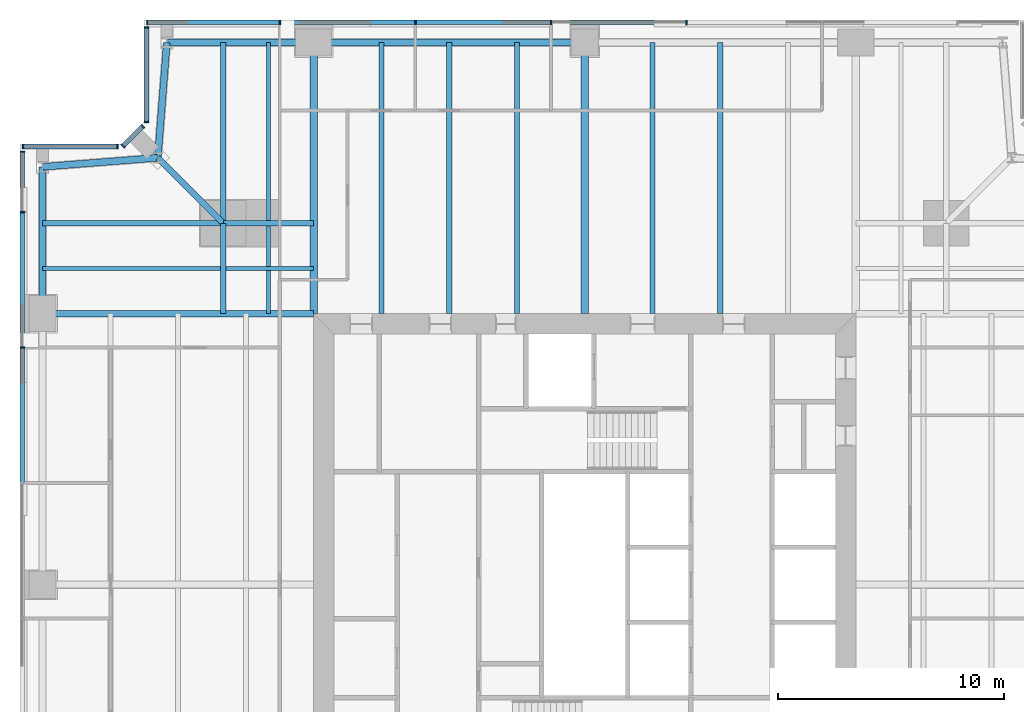
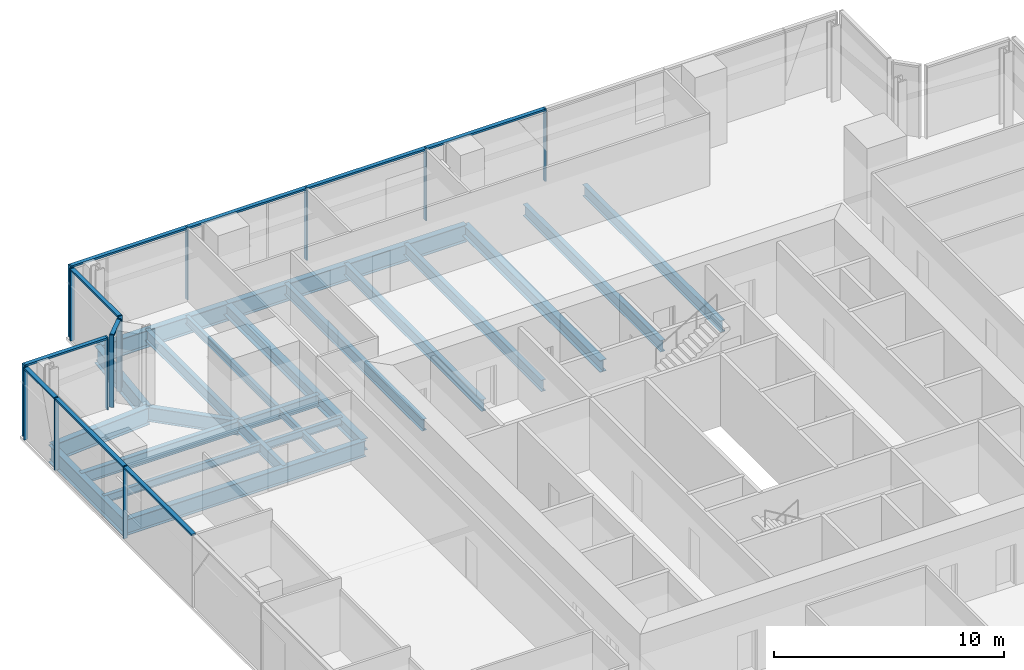
# One storey, part 6 of 14: 24 members, 23 beams, 5 elements without a shape of their own.
"""IFC4 building model written with IfcOpenShell, lengths in metres."""

from ifc_helpers import new_model, si_unit, direction, frame, origin, origin_2d, place, context, subcontext, project, spatial, rectangle, i_section, extrude, material, material_profile, profile_set, type_object, element, aggregate, save


model = new_model("IFC4")

# Units and contexts
model_context = context("Model", 3, precision=1e-05, world=origin(), true_north=direction((0.0, 1.0)))
body_context = subcontext(model_context, "Body", "Model", "MODEL_VIEW")
ifc_project = project(units=[si_unit("LENGTHUNIT", "METRE"), si_unit("AREAUNIT", "SQUARE_METRE"), si_unit("VOLUMEUNIT", "CUBIC_METRE"), si_unit("PLANEANGLEUNIT", "RADIAN"), si_unit("MASSUNIT", "GRAM", prefix="KILO")], contexts=[model_context])

# Site, building, storey
site_placement = place(None, origin())
site = spatial("IfcSite", under=ifc_project, at=site_placement, CompositionType="ELEMENT")
building_placement = place(site_placement, origin())
building = spatial("IfcBuilding", under=site, at=building_placement, Name="Fenwick Lantern Interchange", CompositionType="ELEMENT")
storey_placement = place(building_placement, frame((0.0, 0.0, 173.800048828125)))
storey = spatial("IfcBuildingStorey", under=building, at=storey_placement, Name="L40", CompositionType="ELEMENT", Elevation=173.800048828125)

# Beams
ifc_material_1 = material(Name="Steel ASTM A992 Grade 50", Category="steel")
ifc_material_profile_1 = material_profile(ifc_material_1, i_section(OverallWidth=0.3046875, OverallDepth=0.911865234375, WebThickness=0.015869140625, FlangeThickness=0.02392578125, at=origin_2d()), Name="W36X150")
ifc_profile_set_1 = profile_set([ifc_material_profile_1], Name="Steel ASTM A992 Grade 50")
beam_type_1 = type_object("IfcBeamType", Name="EDGE BEAM W36X150", PredefinedType="SPANDREL", material=ifc_profile_set_1)
beam_1_placement = place(storey_placement, frame((25.0, 49.0, -0.60595703125), z_axis=(-1.0, 0.0, 0.0), x_axis=(0.0, -1.0, 0.0)))
element("IfcBeam", 1, at=beam_1_placement, inside=storey, type_object=beam_type_1, Name="L40/FR/N/EB3", PredefinedType="SPANDREL", context=body_context, shape_type="SweptSolid", body=[
    extrude(i_section(OverallWidth=0.3046875, OverallDepth=0.911865234375, WebThickness=0.015869140625, FlangeThickness=0.02392578125, at=origin_2d()), origin(), (0.0, 0.0, 1.0), 12.0),
])
beam_2_placement = place(storey_placement, frame((13.0, 49.0, -0.60595703125), z_axis=(-1.0, 0.0, 0.0), x_axis=(0.0, -1.0, 0.0)))
element("IfcBeam", 2, at=beam_2_placement, inside=storey, type_object=beam_type_1, Name="L40/FR/N/EB4", PredefinedType="SPANDREL", context=body_context, shape_type="SweptSolid", body=[
    extrude(i_section(OverallWidth=0.3046875, OverallDepth=0.911865234375, WebThickness=0.015869140625, FlangeThickness=0.02392578125, at=origin_2d()), origin(), (0.0, 0.0, 1.0), 6.5),
])
for number, where, z_axis, x_axis, name in (
    (3, (6.5, 49.0, -0.60595703125), (-0.078170784639, -0.99693998236, 0.0), (0.99693998236, -0.078170784639, 0.0), "L40/FR/N/EBR1"),
    (4, (6.10009765625, 43.89990234375, -0.60595703125), (-0.99693998236, -0.078170784639, 0.0), (0.078170784639, -0.99693998236, 0.0), "L40/FR/N/EBR2"),
):
    element("IfcBeam", number, at=place(storey_placement, frame(where, z_axis=z_axis, x_axis=x_axis)), inside=storey, type_object=beam_type_1, Name=name, PredefinedType="SPANDREL", context=body_context, shape_type="SweptSolid", body=[
        extrude(i_section(OverallWidth=0.3046875, OverallDepth=0.911865234375, WebThickness=0.015869140625, FlangeThickness=0.02392578125, at=origin_2d()), origin(), (0.0, 0.0, 1.0), 5.11572265625),
    ])
beam_3_placement = place(storey_placement, frame((1.0, 43.5, -0.60595703125), z_axis=(0.0, -1.0, 0.0), x_axis=(1.0, 0.0, 0.0)))
element("IfcBeam", 5, at=beam_3_placement, inside=storey, type_object=beam_type_1, Name="L40/FR/W/EB1", PredefinedType="SPANDREL", context=body_context, shape_type="SweptSolid", body=[
    extrude(i_section(OverallWidth=0.3046875, OverallDepth=0.911865234375, WebThickness=0.015869140625, FlangeThickness=0.02392578125, at=origin_2d()), origin(), (0.0, 0.0, 1.0), 6.5),
])
ifc_material_profile_2 = material_profile(ifc_material_1, i_section(OverallWidth=0.22900390625, OverallDepth=0.612060546875, WebThickness=0.011962890625, FlangeThickness=0.01953125, at=origin_2d()), Name="W24X84")
ifc_profile_set_2 = profile_set([ifc_material_profile_2], Name="Steel ASTM A992 Grade 50")
beam_type_2 = type_object("IfcBeamType", Name="FLOOR BEAM W24X84", PredefinedType="BEAM", material=ifc_profile_set_2)
for number, where, z_axis, x_axis, name in (
    (6, (31.0, 49.0, -0.4560546875), (0.0, -1.0, 0.0), (1.0, 0.0, 0.0), "L40/FR/N/R03"),
    (7, (28.0, 49.0, -0.4560546875), (0.0, -1.0, 0.0), (1.0, 0.0, 0.0), "L40/FR/N/R04"),
    (8, (22.0, 49.0, -0.4560546875), (0.0, -1.0, 0.0), (1.0, 0.0, 0.0), "L40/FR/N/R06"),
    (9, (19.0, 49.0, -0.4560546875), (0.0, -1.0, 0.0), (1.0, 0.0, 0.0), "L40/FR/N/R07"),
    (10, (16.0, 49.0, -0.4560546875), (0.0, -1.0, 0.0), (1.0, 0.0, 0.0), "L40/FR/N/R08"),
):
    element("IfcBeam", number, at=place(storey_placement, frame(where, z_axis=z_axis, x_axis=x_axis)), inside=storey, type_object=beam_type_2, Name=name, PredefinedType="BEAM", context=body_context, shape_type="SweptSolid", body=[
        extrude(i_section(OverallWidth=0.22900390625, OverallDepth=0.612060546875, WebThickness=0.011962890625, FlangeThickness=0.01953125, at=origin_2d()), origin(), (0.0, 0.0, 1.0), 12.0),
    ])
ifc_material_profile_3 = material_profile(ifc_material_1, i_section(OverallWidth=0.177734375, OverallDepth=0.406494140625, WebThickness=0.0078125, FlangeThickness=0.012939453125, at=origin_2d()), Name="W16X40")
ifc_profile_set_3 = profile_set([ifc_material_profile_3], Name="Steel ASTM A992 Grade 50")
beam_type_3 = type_object("IfcBeamType", Name="INFILL BEAM W16X40", PredefinedType="JOIST", material=ifc_profile_set_3)
beam_4_placement = place(storey_placement, frame((1.0, 39.0, -0.353271484375), z_axis=(1.0, 0.0, 0.0), x_axis=(0.0, 1.0, 0.0)))
element("IfcBeam", 11, at=beam_4_placement, inside=storey, type_object=beam_type_3, Name="L40/FR/W/J1", PredefinedType="JOIST", context=body_context, shape_type="SweptSolid", body=[
    extrude(i_section(OverallWidth=0.177734375, OverallDepth=0.406494140625, WebThickness=0.0078125, FlangeThickness=0.012939453125, at=origin_2d()), origin(), (0.0, 0.0, 1.0), 7.885498046875),
])
beam_5_placement = place(storey_placement, frame((9.114501953125, 39.0, -0.353271484375), z_axis=(1.0, 0.0, 0.0), x_axis=(0.0, 1.0, 0.0)))
element("IfcBeam", 12, at=beam_5_placement, inside=storey, type_object=beam_type_3, Name="L40/FR/W/J2", PredefinedType="JOIST", context=body_context, shape_type="SweptSolid", body=[
    extrude(i_section(OverallWidth=0.177734375, OverallDepth=0.406494140625, WebThickness=0.0078125, FlangeThickness=0.012939453125, at=origin_2d()), origin(), (0.0, 0.0, 1.0), 3.885498046875),
])
beam_6_placement = place(storey_placement, frame((11.0, 49.0, -0.353271484375), z_axis=(0.0, -1.0, 0.0), x_axis=(1.0, 0.0, 0.0)))
element("IfcBeam", 13, at=beam_6_placement, inside=storey, type_object=beam_type_3, Name="L40/FR/W/J3", PredefinedType="JOIST", context=body_context, shape_type="SweptSolid", body=[
    extrude(i_section(OverallWidth=0.177734375, OverallDepth=0.406494140625, WebThickness=0.0078125, FlangeThickness=0.012939453125, at=origin_2d()), origin(), (0.0, 0.0, 1.0), 7.885498046875),
])
beam_7_placement = place(storey_placement, frame((11.0, 40.885498046875, -0.353271484375), z_axis=(0.0, -1.0, 0.0), x_axis=(1.0, 0.0, 0.0)))
element("IfcBeam", 14, at=beam_7_placement, inside=storey, type_object=beam_type_3, Name="L40/FR/W/J4", PredefinedType="JOIST", context=body_context, shape_type="SweptSolid", body=[
    extrude(i_section(OverallWidth=0.177734375, OverallDepth=0.406494140625, WebThickness=0.0078125, FlangeThickness=0.012939453125, at=origin_2d()), origin(), (0.0, 0.0, 1.0), 1.796630859375),
])
beam_8_placement = place(storey_placement, frame((11.0, 38.9111328125, -0.353271484375), z_axis=(0.0, -1.0, 0.0), x_axis=(1.0, 0.0, 0.0)))
element("IfcBeam", 15, at=beam_8_placement, inside=storey, type_object=beam_type_3, Name="L40/FR/W/J5", PredefinedType="JOIST", context=body_context, shape_type="SweptSolid", body=[
    extrude(i_section(OverallWidth=0.177734375, OverallDepth=0.406494140625, WebThickness=0.0078125, FlangeThickness=0.012939453125, at=origin_2d()), origin(), (0.0, 0.0, 1.0), 1.9111328125),
])
ifc_material_profile_4 = material_profile(ifc_material_1, i_section(OverallWidth=0.22900390625, OverallDepth=0.612060546875, WebThickness=0.011962890625, FlangeThickness=0.01953125, at=origin_2d()), Name="W24X84")
ifc_profile_set_4 = profile_set([ifc_material_profile_4], Name="Steel ASTM A992 Grade 50")
beam_type_4 = type_object("IfcBeamType", Name="MEGA COLUMN BEAM W24X84", PredefinedType="BEAM", material=ifc_profile_set_4)
for number, where, z_axis, x_axis, name in (
    (16, (9.0, 41.0, -0.4560546875), (-1.0, 0.0, 0.0), (0.0, -1.0, 0.0), "L40/FR/W/MB1"),
    (17, (9.0, 41.0, -0.4560546875), (0.0, 1.0, 0.0), (-1.0, 0.0, 0.0), "L40/FR/W/MB2"),
):
    element("IfcBeam", number, at=place(storey_placement, frame(where, z_axis=z_axis, x_axis=x_axis)), inside=storey, type_object=beam_type_4, Name=name, PredefinedType="BEAM", context=body_context, shape_type="SweptSolid", body=[
        extrude(i_section(OverallWidth=0.22900390625, OverallDepth=0.612060546875, WebThickness=0.011962890625, FlangeThickness=0.01953125, at=origin_2d()), origin(), (0.0, 0.0, 1.0), 8.0),
    ])
for number, where, z_axis, x_axis, name in (
    (18, (9.0, 41.0, -0.4560546875), (0.0, -1.0, 0.0), (1.0, 0.0, 0.0), "L40/FR/W/MB3"),
    (19, (9.0, 41.0, -0.4560546875), (1.0, 0.0, 0.0), (0.0, 1.0, 0.0), "L40/FR/W/MB4"),
):
    element("IfcBeam", number, at=place(storey_placement, frame(where, z_axis=z_axis, x_axis=x_axis)), inside=storey, type_object=beam_type_4, Name=name, PredefinedType="BEAM", context=body_context, shape_type="SweptSolid", body=[
        extrude(i_section(OverallWidth=0.22900390625, OverallDepth=0.612060546875, WebThickness=0.011962890625, FlangeThickness=0.01953125, at=origin_2d()), origin(), (0.0, 0.0, 1.0), 4.0),
    ])
ifc_material_profile_5 = material_profile(ifc_material_1, i_section(OverallWidth=0.32763671875, OverallDepth=0.622314453125, WebThickness=0.015380859375, FlangeThickness=0.0244140625, at=origin_2d()), Name="W24X131")
ifc_profile_set_5 = profile_set([ifc_material_profile_5], Name="Steel ASTM A992 Grade 50")
beam_type_5 = type_object("IfcBeamType", Name="MOMENT-CONNECTED GIRDER W24X131", PredefinedType="BEAM", material=ifc_profile_set_5)
for number, where, z_axis, x_axis, name in (
    (20, (25.0, 49.0, -0.461181640625), (0.0, -1.0, 0.0), (1.0, 0.0, 0.0), "L40/FR/N/R05"),
    (21, (13.0, 49.0, -0.461181640625), (0.0, -1.0, 0.0), (1.0, 0.0, 0.0), "L40/FR/N/R09"),
):
    element("IfcBeam", number, at=place(storey_placement, frame(where, z_axis=z_axis, x_axis=x_axis)), inside=storey, type_object=beam_type_5, Name=name, PredefinedType="BEAM", context=body_context, shape_type="SweptSolid", body=[
        extrude(i_section(OverallWidth=0.32763671875, OverallDepth=0.622314453125, WebThickness=0.015380859375, FlangeThickness=0.0244140625, at=origin_2d()), origin(), (0.0, 0.0, 1.0), 12.0),
    ])
ifc_material_profile_6 = material_profile(ifc_material_1, i_section(OverallWidth=0.2919921875, OverallDepth=0.845703125, WebThickness=0.015380859375, FlangeThickness=0.0244140625, at=origin_2d()), Name="W33X141")
ifc_profile_set_6 = profile_set([ifc_material_profile_6], Name="Steel ASTM A992 Grade 50")
beam_type_6 = type_object("IfcBeamType", Name="MOMENT-CONNECTED GIRDER W33X141", PredefinedType="BEAM", material=ifc_profile_set_6)
beam_9_placement = place(storey_placement, frame((1.0, 37.0, -0.572998046875), z_axis=(1.0, 0.0, 0.0), x_axis=(0.0, 1.0, 0.0)))
element("IfcBeam", 22, at=beam_9_placement, inside=storey, type_object=beam_type_6, Name="L40/FR/W/R01", PredefinedType="BEAM", context=body_context, shape_type="SweptSolid", body=[
    extrude(i_section(OverallWidth=0.2919921875, OverallDepth=0.845703125, WebThickness=0.015380859375, FlangeThickness=0.0244140625, at=origin_2d()), origin(), (0.0, 0.0, 1.0), 12.0),
])
ifc_material_profile_7 = material_profile(ifc_material_1, i_section(OverallWidth=0.2666015625, OverallDepth=0.7568359375, WebThickness=0.013916015625, FlangeThickness=0.019287109375, at=origin_2d()), Name="W30X108")
ifc_profile_set_7 = profile_set([ifc_material_profile_7], Name="Steel ASTM A992 Grade 50")
beam_type_7 = type_object("IfcBeamType", Name="NOTCH BEAM W30X108", PredefinedType="BEAM", material=ifc_profile_set_7)
beam_10_placement = place(storey_placement, frame((9.0, 41.0, -0.528564453125), z_axis=(-0.707106781187, 0.707106781187, 0.0), x_axis=(-0.707106781187, -0.707106781187, 0.0)))
element("IfcBeam", 23, at=beam_10_placement, inside=storey, type_object=beam_type_7, Name="L40/FR/W/TG", PredefinedType="BEAM", context=body_context, shape_type="SweptSolid", body=[
    extrude(i_section(OverallWidth=0.2666015625, OverallDepth=0.7568359375, WebThickness=0.013916015625, FlangeThickness=0.019287109375, at=origin_2d()), origin(), (0.0, 0.0, 1.0), 4.10107421875),
])

# Curtain wall, members
ifc_material_2 = material(Name="Aluminium curtain wall frame", Category="aluminium")
curtain_wall_type = type_object("IfcCurtainWallType", Name="OFFICE CURTAIN WALL", PredefinedType="USERDEFINED", material=ifc_material_2)
curtain_wall_1_placement = place(storey_placement, origin())
curtain_wall_1 = element("IfcCurtainWall", 24, at=curtain_wall_1_placement, inside=storey, type_object=curtain_wall_type, Name="Office curtain wall 09", ObjectType="OFFICE CURTAIN WALL", PredefinedType="USERDEFINED")
ifc_material_3 = material(Name="Aluminium extrusion", Category="aluminium")
ifc_material_profile_8 = material_profile(ifc_material_3, rectangle(XDim=0.199951171875, YDim=0.06494140625, at=origin_2d()), Name="OFFICE CURTAIN WALL MULLION 65 X 200")
ifc_profile_set_8 = profile_set([ifc_material_profile_8], Name="Aluminium extrusion")
member_type_1 = type_object("IfcMemberType", Name="OFFICE CURTAIN WALL MULLION 65 X 200", PredefinedType="MULLION", material=ifc_profile_set_8)
member_1_placement = place(storey_placement, frame((29.5, 49.89990234375, 0.0), z_axis=(0.0, 0.0, 1.0), x_axis=(0.0, -1.0, 0.0)))
member_1 = element("IfcMember", 25, at=member_1_placement, type_object=member_type_1, Name="L40/CW/09/M03", PredefinedType="MULLION", context=body_context, shape_type="SweptSolid", body=[
    extrude(rectangle(XDim=0.199951171875, YDim=0.06494140625, at=origin_2d()), origin(), (0.0, 0.0, 1.0), 3.849853515625),
])
member_2_placement = place(storey_placement, frame((23.5, 49.89990234375, 0.0), z_axis=(0.0, 0.0, 1.0), x_axis=(0.0, -1.0, 0.0)))
member_2 = element("IfcMember", 26, at=member_2_placement, type_object=member_type_1, Name="L40/CW/09/M04", PredefinedType="MULLION", context=body_context, shape_type="SweptSolid", body=[
    extrude(rectangle(XDim=0.199951171875, YDim=0.06494140625, at=origin_2d()), origin(), (0.0, 0.0, 1.0), 3.849853515625),
])
member_3_placement = place(storey_placement, frame((17.5, 49.89990234375, 0.0), z_axis=(0.0, 0.0, 1.0), x_axis=(0.0, -1.0, 0.0)))
member_3 = element("IfcMember", 27, at=member_3_placement, type_object=member_type_1, Name="L40/CW/09/M05", PredefinedType="MULLION", context=body_context, shape_type="SweptSolid", body=[
    extrude(rectangle(XDim=0.199951171875, YDim=0.06494140625, at=origin_2d()), origin(), (0.0, 0.0, 1.0), 3.849853515625),
])
member_4_placement = place(storey_placement, frame((11.5, 49.89990234375, 0.0), z_axis=(0.0, 0.0, 1.0), x_axis=(0.0, -1.0, 0.0)))
member_4 = element("IfcMember", 28, at=member_4_placement, type_object=member_type_1, Name="L40/CW/09/M06", PredefinedType="MULLION", context=body_context, shape_type="SweptSolid", body=[
    extrude(rectangle(XDim=0.199951171875, YDim=0.06494140625, at=origin_2d()), origin(), (0.0, 0.0, 1.0), 3.849853515625),
])
member_5_placement = place(storey_placement, frame((5.632568359375, 49.89990234375, 0.0), z_axis=(0.0, 0.0, 1.0), x_axis=(0.0, -1.0, 0.0)))
member_5 = element("IfcMember", 29, at=member_5_placement, type_object=member_type_1, Name="L40/CW/09/M07", PredefinedType="MULLION", context=body_context, shape_type="SweptSolid", body=[
    extrude(rectangle(XDim=0.199951171875, YDim=0.06494140625, at=origin_2d()), origin(), (0.0, 0.0, 1.0), 3.849853515625),
])

curtain_wall_2_placement = place(storey_placement, origin())
curtain_wall_2 = element("IfcCurtainWall", 30, at=curtain_wall_2_placement, inside=storey, type_object=curtain_wall_type, Name="Office curtain wall 10", ObjectType="OFFICE CURTAIN WALL", PredefinedType="USERDEFINED")
member_6_placement = place(storey_placement, frame((5.60009765625, 49.66748046875, 0.0), z_axis=(0.0, 0.0, 1.0), x_axis=(1.0, 0.0, 0.0)))
member_6 = element("IfcMember", 31, at=member_6_placement, type_object=member_type_1, Name="L40/CW/10/M00", PredefinedType="MULLION", context=body_context, shape_type="SweptSolid", body=[
    extrude(rectangle(XDim=0.199951171875, YDim=0.06494140625, at=origin_2d()), origin(), (0.0, 0.0, 1.0), 3.849853515625),
])
member_7_placement = place(storey_placement, frame((5.60009765625, 45.490966796875, 0.0), z_axis=(0.0, 0.0, 1.0), x_axis=(1.0, 0.0, 0.0)))
member_7 = element("IfcMember", 32, at=member_7_placement, type_object=member_type_1, Name="L40/CW/10/M01", PredefinedType="MULLION", context=body_context, shape_type="SweptSolid", body=[
    extrude(rectangle(XDim=0.199951171875, YDim=0.06494140625, at=origin_2d()), origin(), (0.0, 0.0, 1.0), 3.849853515625),
])

curtain_wall_3_placement = place(storey_placement, origin())
curtain_wall_3 = element("IfcCurtainWall", 33, at=curtain_wall_3_placement, inside=storey, type_object=curtain_wall_type, Name="Office curtain wall 11", ObjectType="OFFICE CURTAIN WALL", PredefinedType="USERDEFINED")
member_8_placement = place(storey_placement, frame((5.435546875, 45.294189453125, 0.0), z_axis=(0.0, 0.0, 1.0), x_axis=(0.707106781187, -0.707106781187, 0.0)))
member_8 = element("IfcMember", 34, at=member_8_placement, type_object=member_type_1, Name="L40/CW/11/M00", PredefinedType="MULLION", context=body_context, shape_type="SweptSolid", body=[
    extrude(rectangle(XDim=0.199951171875, YDim=0.06494140625, at=origin_2d()), origin(), (0.0, 0.0, 1.0), 3.849853515625),
])
member_9_placement = place(storey_placement, frame((4.564453125, 44.423095703125, 0.0), z_axis=(0.0, 0.0, 1.0), x_axis=(0.707106781187, -0.707106781187, 0.0)))
member_9 = element("IfcMember", 35, at=member_9_placement, type_object=member_type_1, Name="L40/CW/11/M01", PredefinedType="MULLION", context=body_context, shape_type="SweptSolid", body=[
    extrude(rectangle(XDim=0.199951171875, YDim=0.06494140625, at=origin_2d()), origin(), (0.0, 0.0, 1.0), 3.849853515625),
])

curtain_wall_4_placement = place(storey_placement, origin())
curtain_wall_4 = element("IfcCurtainWall", 36, at=curtain_wall_4_placement, inside=storey, type_object=curtain_wall_type, Name="Office curtain wall 12", ObjectType="OFFICE CURTAIN WALL", PredefinedType="USERDEFINED")
member_10_placement = place(storey_placement, frame((4.308837890625, 44.39990234375, 0.0), z_axis=(0.0, 0.0, 1.0), x_axis=(0.0, -1.0, 0.0)))
member_10 = element("IfcMember", 37, at=member_10_placement, type_object=member_type_1, Name="L40/CW/12/M00", PredefinedType="MULLION", context=body_context, shape_type="SweptSolid", body=[
    extrude(rectangle(XDim=0.199951171875, YDim=0.06494140625, at=origin_2d()), origin(), (0.0, 0.0, 1.0), 3.849853515625),
])
member_11_placement = place(storey_placement, frame((0.132568359375, 44.39990234375, 0.0), z_axis=(0.0, 0.0, 1.0), x_axis=(0.0, -1.0, 0.0)))
member_11 = element("IfcMember", 38, at=member_11_placement, type_object=member_type_1, Name="L40/CW/12/M01", PredefinedType="MULLION", context=body_context, shape_type="SweptSolid", body=[
    extrude(rectangle(XDim=0.199951171875, YDim=0.06494140625, at=origin_2d()), origin(), (0.0, 0.0, 1.0), 3.849853515625),
])

curtain_wall_5_placement = place(storey_placement, origin())
curtain_wall_5 = element("IfcCurtainWall", 39, at=curtain_wall_5_placement, inside=storey, type_object=curtain_wall_type, Name="Office curtain wall 13", ObjectType="OFFICE CURTAIN WALL", PredefinedType="USERDEFINED")
member_12_placement = place(storey_placement, frame((0.10009765625, 44.16748046875, 0.0), z_axis=(0.0, 0.0, 1.0), x_axis=(1.0, 0.0, 0.0)))
member_12 = element("IfcMember", 40, at=member_12_placement, type_object=member_type_1, Name="L40/CW/13/M00", PredefinedType="MULLION", context=body_context, shape_type="SweptSolid", body=[
    extrude(rectangle(XDim=0.199951171875, YDim=0.06494140625, at=origin_2d()), origin(), (0.0, 0.0, 1.0), 3.849853515625),
])
member_13_placement = place(storey_placement, frame((0.10009765625, 41.5, 0.0), z_axis=(0.0, 0.0, 1.0), x_axis=(1.0, 0.0, 0.0)))
member_13 = element("IfcMember", 41, at=member_13_placement, type_object=member_type_1, Name="L40/CW/13/M01", PredefinedType="MULLION", context=body_context, shape_type="SweptSolid", body=[
    extrude(rectangle(XDim=0.199951171875, YDim=0.06494140625, at=origin_2d()), origin(), (0.0, 0.0, 1.0), 3.849853515625),
])
member_14_placement = place(storey_placement, frame((0.10009765625, 35.5, 0.0), z_axis=(0.0, 0.0, 1.0), x_axis=(1.0, 0.0, 0.0)))
member_14 = element("IfcMember", 42, at=member_14_placement, type_object=member_type_1, Name="L40/CW/13/M02", PredefinedType="MULLION", context=body_context, shape_type="SweptSolid", body=[
    extrude(rectangle(XDim=0.199951171875, YDim=0.06494140625, at=origin_2d()), origin(), (0.0, 0.0, 1.0), 3.849853515625),
])

# Member
ifc_material_profile_9 = material_profile(ifc_material_3, rectangle(XDim=0.199951171875, YDim=0.10009765625, at=origin_2d()), Name="OFFICE CURTAIN WALL TRANSOM 100 X 200")
ifc_profile_set_9 = profile_set([ifc_material_profile_9], Name="Aluminium extrusion")
member_type_2 = type_object("IfcMemberType", Name="OFFICE CURTAIN WALL TRANSOM 100 X 200", PredefinedType="MULLION", material=ifc_profile_set_9)
member_15_placement = place(storey_placement, frame((29.467529296875, 49.89990234375, 3.800048828125), z_axis=(-1.0, 0.0, 0.0), x_axis=(0.0, -1.0, 0.0)))
member_15 = element("IfcMember", 43, at=member_15_placement, type_object=member_type_2, Name="L40/CW/09/T03", PredefinedType="MULLION", context=body_context, shape_type="SweptSolid", body=[
    extrude(rectangle(XDim=0.199951171875, YDim=0.10009765625, at=origin_2d()), origin(), (0.0, 0.0, 1.0), 5.93505859375),
])

member_16_placement = place(storey_placement, frame((23.467529296875, 49.89990234375, 3.800048828125), z_axis=(-1.0, 0.0, 0.0), x_axis=(0.0, -1.0, 0.0)))
member_16 = element("IfcMember", 44, at=member_16_placement, type_object=member_type_2, Name="L40/CW/09/T04", PredefinedType="MULLION", context=body_context, shape_type="SweptSolid", body=[
    extrude(rectangle(XDim=0.199951171875, YDim=0.10009765625, at=origin_2d()), origin(), (0.0, 0.0, 1.0), 5.93505859375),
])

member_17_placement = place(storey_placement, frame((17.467529296875, 49.89990234375, 3.800048828125), z_axis=(-1.0, 0.0, 0.0), x_axis=(0.0, -1.0, 0.0)))
member_17 = element("IfcMember", 45, at=member_17_placement, type_object=member_type_2, Name="L40/CW/09/T05", PredefinedType="MULLION", context=body_context, shape_type="SweptSolid", body=[
    extrude(rectangle(XDim=0.199951171875, YDim=0.10009765625, at=origin_2d()), origin(), (0.0, 0.0, 1.0), 5.93505859375),
])

member_18_placement = place(storey_placement, frame((11.467529296875, 49.89990234375, 3.800048828125), z_axis=(-1.0, 0.0, 0.0), x_axis=(0.0, -1.0, 0.0)))
member_18 = element("IfcMember", 46, at=member_18_placement, type_object=member_type_2, Name="L40/CW/09/T06", PredefinedType="MULLION", context=body_context, shape_type="SweptSolid", body=[
    extrude(rectangle(XDim=0.199951171875, YDim=0.10009765625, at=origin_2d()), origin(), (0.0, 0.0, 1.0), 5.802490234375),
])

aggregate(curtain_wall_1, [member_1, member_2, member_3, member_4, member_5, member_15, member_16, member_17, member_18])

member_19_placement = place(storey_placement, frame((5.60009765625, 49.635009765625, 3.800048828125), z_axis=(0.0, -1.0, 0.0), x_axis=(1.0, 0.0, 0.0)))
member_19 = element("IfcMember", 47, at=member_19_placement, type_object=member_type_2, Name="L40/CW/10/T00", PredefinedType="MULLION", context=body_context, shape_type="SweptSolid", body=[
    extrude(rectangle(XDim=0.199951171875, YDim=0.10009765625, at=origin_2d()), origin(), (0.0, 0.0, 1.0), 4.111328125),
])

aggregate(curtain_wall_2, [member_6, member_7, member_19])

member_20_placement = place(storey_placement, frame((5.41259765625, 45.271240234375, 3.800048828125), z_axis=(-0.707106781187, -0.707106781187, 0.0), x_axis=(0.707106781187, -0.707106781187, 0.0)))
member_20 = element("IfcMember", 48, at=member_20_placement, type_object=member_type_2, Name="L40/CW/11/T00", PredefinedType="MULLION", context=body_context, shape_type="SweptSolid", body=[
    extrude(rectangle(XDim=0.199951171875, YDim=0.10009765625, at=origin_2d()), origin(), (0.0, 0.0, 1.0), 1.1669921875),
])

aggregate(curtain_wall_3, [member_8, member_9, member_20])

member_21_placement = place(storey_placement, frame((4.2763671875, 44.39990234375, 3.800048828125), z_axis=(-1.0, 0.0, 0.0), x_axis=(0.0, -1.0, 0.0)))
member_21 = element("IfcMember", 49, at=member_21_placement, type_object=member_type_2, Name="L40/CW/12/T00", PredefinedType="MULLION", context=body_context, shape_type="SweptSolid", body=[
    extrude(rectangle(XDim=0.199951171875, YDim=0.10009765625, at=origin_2d()), origin(), (0.0, 0.0, 1.0), 4.111328125),
])

aggregate(curtain_wall_4, [member_10, member_11, member_21])

member_22_placement = place(storey_placement, frame((0.10009765625, 44.135009765625, 3.800048828125), z_axis=(0.0, -1.0, 0.0), x_axis=(1.0, 0.0, 0.0)))
member_22 = element("IfcMember", 50, at=member_22_placement, type_object=member_type_2, Name="L40/CW/13/T00", PredefinedType="MULLION", context=body_context, shape_type="SweptSolid", body=[
    extrude(rectangle(XDim=0.199951171875, YDim=0.10009765625, at=origin_2d()), origin(), (0.0, 0.0, 1.0), 2.6025390625),
])

member_23_placement = place(storey_placement, frame((0.10009765625, 41.467529296875, 3.800048828125), z_axis=(0.0, -1.0, 0.0), x_axis=(1.0, 0.0, 0.0)))
member_23 = element("IfcMember", 51, at=member_23_placement, type_object=member_type_2, Name="L40/CW/13/T01", PredefinedType="MULLION", context=body_context, shape_type="SweptSolid", body=[
    extrude(rectangle(XDim=0.199951171875, YDim=0.10009765625, at=origin_2d()), origin(), (0.0, 0.0, 1.0), 5.93505859375),
])

member_24_placement = place(storey_placement, frame((0.10009765625, 35.467529296875, 3.800048828125), z_axis=(0.0, -1.0, 0.0), x_axis=(1.0, 0.0, 0.0)))
member_24 = element("IfcMember", 52, at=member_24_placement, type_object=member_type_2, Name="L40/CW/13/T02", PredefinedType="MULLION", context=body_context, shape_type="SweptSolid", body=[
    extrude(rectangle(XDim=0.199951171875, YDim=0.10009765625, at=origin_2d()), origin(), (0.0, 0.0, 1.0), 5.93505859375),
])

aggregate(curtain_wall_5, [member_12, member_13, member_14, member_22, member_23, member_24])

save(model, "model.ifc")
